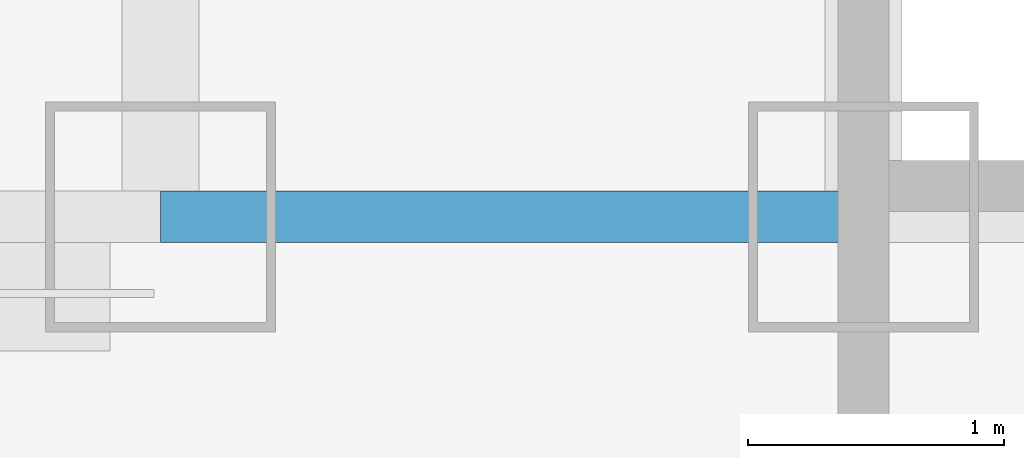
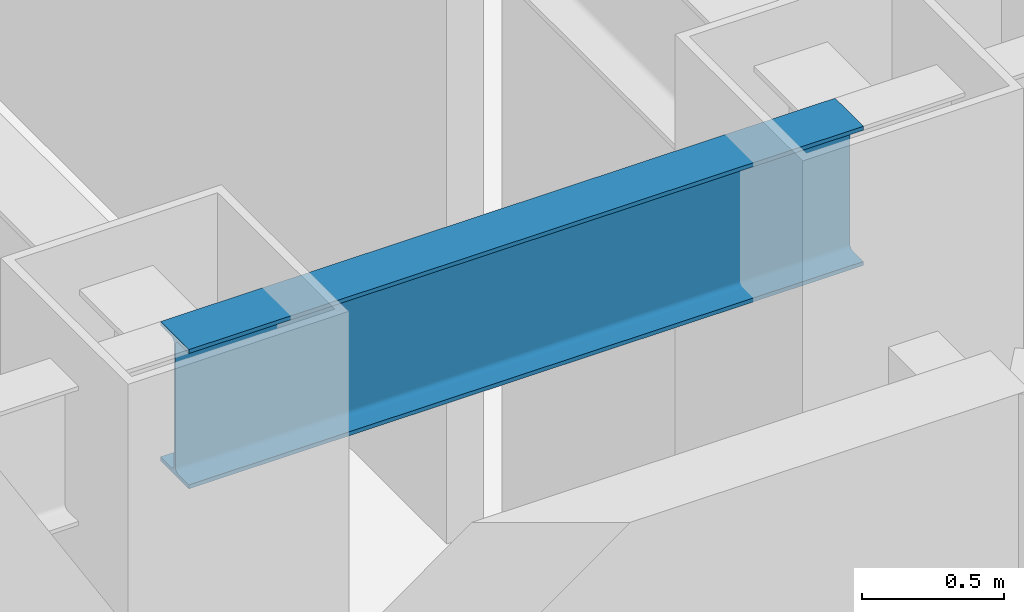
# One storey, part 3 of 31: 1 beam.
"""IFC4 building model written with IfcOpenShell, lengths in metres."""

import ifcopenshell
import ifcopenshell.guid

model = None  # the IFC model being written
_history = None  # IfcOwnerHistory: only IFC2X3 demands one
_inside = {}  # id of a spatial element -> (the spatial element, [elements in it])
_under = {}  # id of a project, library or spatial element -> (it, [spatial elements below it])
_declared = {}  # id of a project -> (the project, [libraries it declares])
_typed = {}  # id of a type object -> (the type object, [elements of that type])
_made_of = {}  # id of a material, layer set ... -> (it, [elements and type objects made of it])


def new_model(schema):
    """Start an empty IFC model of exactly this schema.

    Asked for "IFC4X3", IfcOpenShell would pick the latest addendum, in which some entities
    have other attributes; the version numbers below select the first issue.
    IFC2X3 requires an IfcOwnerHistory on every rooted entity: one is made here for all.
    """
    global model, _history
    if schema == "IFC4X3":
        model = ifcopenshell.file(schema_version=(4, 3, 0, 0))
    else:
        model = ifcopenshell.file(schema=schema)
    _inside.clear()
    _under.clear()
    _declared.clear()
    _typed.clear()
    _made_of.clear()
    _history = None
    if model.schema == "IFC2X3":
        org = make("IfcOrganization", Name="unknown")
        user = make(
            "IfcPersonAndOrganization",
            ThePerson=make("IfcPerson", FamilyName="unknown"),
            TheOrganization=org,
        )
        app = make(
            "IfcApplication",
            ApplicationDeveloper=org,
            Version="unknown",
            ApplicationFullName="unknown",
            ApplicationIdentifier="unknown",
        )
        _history = make(
            "IfcOwnerHistory",
            OwningUser=user,
            OwningApplication=app,
            ChangeAction="ADDED",
            CreationDate=0,
        )
    return model


def make(cls, **values):
    """One entity of the class cls with the attributes given. An attribute that is None is left unset."""
    return model.create_entity(
        cls, **{name: value for name, value in values.items() if value is not None}
    )


def rooted(cls, **values):
    """An entity with a GlobalId (a new one), such as an element, a storey or a relation."""
    return make(cls, GlobalId=ifcopenshell.guid.new(), OwnerHistory=_history, **values)


def si_unit(unit_type, name, prefix=None):
    """IfcSIUnit, for example si_unit("LENGTHUNIT", "METRE", prefix="MILLI")."""
    return make("IfcSIUnit", UnitType=unit_type, Prefix=prefix, Name=name)


def assignment(units):
    """IfcUnitAssignment: the units of a project."""
    return None if units is None else make("IfcUnitAssignment", Units=units)


def point(xyz):
    """IfcCartesianPoint."""
    return None if xyz is None else make("IfcCartesianPoint", Coordinates=xyz)


def direction(xyz):
    """IfcDirection."""
    return None if xyz is None else make("IfcDirection", DirectionRatios=xyz)


def frame(location, z_axis=None, x_axis=None):
    """IfcAxis2Placement3D, a coordinate frame: its origin and axes. An axis left out is left unset."""
    return make(
        "IfcAxis2Placement3D",
        Location=point(location),
        Axis=direction(z_axis),
        RefDirection=direction(x_axis),
    )


def frame_2d(location, x_axis=None):
    """IfcAxis2Placement2D, a coordinate frame in the plane: its origin and x axis."""
    return make(
        "IfcAxis2Placement2D", Location=point(location), RefDirection=direction(x_axis)
    )


def origin():
    """The frame at (0, 0, 0) with its axes left unset."""
    return frame((0.0, 0.0, 0.0))


def origin_2d():
    """The frame at (0, 0) in the plane with its x axis left unset."""
    return frame_2d((0.0, 0.0))


def place(relative_to, where):
    """IfcLocalPlacement: puts the frame where relative to a parent placement (None: the world)."""
    return make(
        "IfcLocalPlacement", PlacementRelTo=relative_to, RelativePlacement=where
    )


def context(
    kind, dimensions, precision=None, world=None, true_north=None, identifier=None
):
    """IfcGeometricRepresentationContext, for example the 3D "Model" context."""
    return make(
        "IfcGeometricRepresentationContext",
        ContextIdentifier=identifier,
        ContextType=kind,
        CoordinateSpaceDimension=dimensions,
        Precision=precision,
        WorldCoordinateSystem=world,
        TrueNorth=true_north,
    )


def subcontext(parent, identifier, kind, view, scale=None):
    """IfcGeometricRepresentationSubContext, for example "Body" below "Model"."""
    return make(
        "IfcGeometricRepresentationSubContext",
        ContextIdentifier=identifier,
        ContextType=kind,
        ParentContext=parent,
        TargetScale=scale,
        TargetView=view,
    )


def project(units=None, contexts=None):
    """IfcProject with its units and contexts."""
    return rooted(
        "IfcProject",
        Name="project",
        RepresentationContexts=contexts,
        UnitsInContext=assignment(units),
    )


def spatial(cls, under=None, at=None, **own):
    """A site, building, storey or space (cls), placed at a placement, below another one or the project."""
    s = rooted(cls, ObjectPlacement=at, **own)
    if under is not None:
        _under.setdefault(under.id(), (under, []))[1].append(s)
    return s


def profile(cls, at=None, kind="AREA", **sizes):
    """A parametric profile (cls). Its sizes go by their IFC names, for example OverallWidth=200.0."""
    return make(cls, ProfileType=kind, Position=at, **sizes)


def i_section(**sizes):
    """IfcIShapeProfileDef."""
    return profile("IfcIShapeProfileDef", **sizes)


def extrude(swept, where, along, depth):
    """IfcExtrudedAreaSolid: the profile swept, set in the frame where, extruded along a direction by depth."""
    return make(
        "IfcExtrudedAreaSolid",
        SweptArea=swept,
        Position=where,
        ExtrudedDirection=direction(along),
        Depth=depth,
    )


def shape(context_of_items, identifier, shape_type, items):
    """IfcShapeRepresentation: the items that make up one representation, for example the "Body"."""
    return make(
        "IfcShapeRepresentation",
        ContextOfItems=context_of_items,
        RepresentationIdentifier=identifier,
        RepresentationType=shape_type,
        Items=items,
    )


def material(Name=None, Category=None):
    """IfcMaterial."""
    return make("IfcMaterial", Name=Name, Category=Category)


def material_profile(
    of_material, cross_section, Name=None, Category=None, Priority=None
):
    """IfcMaterialProfile: a cross section and its material."""
    return make(
        "IfcMaterialProfile",
        Name=Name,
        Material=of_material,
        Profile=cross_section,
        Priority=Priority,
        Category=Category,
    )


def profile_set(profiles, Name=None, composite=None):
    """IfcMaterialProfileSet."""
    return make(
        "IfcMaterialProfileSet",
        Name=Name,
        MaterialProfiles=profiles,
        CompositeProfile=composite,
    )


def made_of(thing, what):
    """Note that an element or type object is made of a material, layer set ...; save() writes the relation."""
    if what is not None:
        _made_of.setdefault(what.id(), (what, []))[1].append(thing)
    return thing


def type_object(cls, material=None, **own):
    """A type object (cls), such as IfcWallType, which elements share."""
    return made_of(rooted(cls, **own), material)


def element(
    cls,
    number,
    at=None,
    inside=None,
    cuts=None,
    type_object=None,
    material=None,
    context=None,
    identifier="Body",
    shape_type=None,
    held_by="IfcProductDefinitionShape",
    body=None,
    shapes=None,
    **own,
):
    """One element of the class cls, such as IfcWall. Its Tag is "e" and its number.

    at: its placement. inside: the storey or other place that contains it. cuts: it is an
    opening in that element (IfcRelVoidsElement). A single representation is given by context,
    identifier, shape_type and body (its items); several are given by shapes. held_by: the class
    of the entity that holds the representations. save() writes the other relations.
    """
    e = rooted(cls, Tag="e%d" % number, ObjectPlacement=at, **own)
    if body is not None:
        shapes = [shape(context, identifier, shape_type, body)]
    if shapes is not None:
        e.Representation = make(held_by, Representations=shapes)
    if inside is not None:
        _inside.setdefault(inside.id(), (inside, []))[1].append(e)
    if cuts is not None:
        rooted(
            "IfcRelVoidsElement", RelatingBuildingElement=cuts, RelatedOpeningElement=e
        )
    if type_object is not None:
        _typed.setdefault(type_object.id(), (type_object, []))[1].append(e)
    return made_of(e, material)


def aggregate(whole, parts):
    """IfcRelAggregates: a whole, such as a stair, and the parts it consists of."""
    return rooted("IfcRelAggregates", RelatingObject=whole, RelatedObjects=parts)


def save(model, path):
    """Write the relations noted so far, then the file.

    IfcRelAggregates (storeys below a building ...), IfcRelContainedInSpatialStructure (elements
    in a storey), IfcRelDefinesByType, IfcRelAssociatesMaterial and IfcRelDeclares: one each for
    every whole, place, type object, material and project.
    """
    for whole, parts in _under.values():
        aggregate(whole, parts)
    for where, things in _inside.values():
        rooted(
            "IfcRelContainedInSpatialStructure",
            RelatedElements=things,
            RelatingStructure=where,
        )
    for kind, things in _typed.values():
        rooted("IfcRelDefinesByType", RelatedObjects=things, RelatingType=kind)
    for what, things in _made_of.values():
        rooted("IfcRelAssociatesMaterial", RelatedObjects=things, RelatingMaterial=what)
    for by, libraries in _declared.values():
        rooted("IfcRelDeclares", RelatingContext=by, RelatedDefinitions=libraries)
    model.write(path)


model = new_model("IFC4")

# Units and contexts
model_context = context("Model", 3, precision=1e-05, world=origin(), true_north=direction((0.0, 1.0)))
body_context = subcontext(model_context, "Body", "Model", "MODEL_VIEW")
ifc_project = project(units=[si_unit("LENGTHUNIT", "METRE"), si_unit("AREAUNIT", "SQUARE_METRE"), si_unit("VOLUMEUNIT", "CUBIC_METRE"), si_unit("PLANEANGLEUNIT", "RADIAN"), si_unit("MASSUNIT", "GRAM", prefix="KILO")], contexts=[model_context])

# Site, building, storey
site_placement = place(None, origin())
site = spatial("IfcSite", under=ifc_project, at=site_placement, CompositionType="ELEMENT")
building_placement = place(site_placement, origin())
building = spatial("IfcBuilding", under=site, at=building_placement, Name="Hatsunagi Terrace Concourse", CompositionType="ELEMENT")
storey_placement = place(building_placement, frame((0.0, 0.0, 77.949951171875)))
storey = spatial("IfcBuildingStorey", under=building, at=storey_placement, Name="L20", CompositionType="ELEMENT", Elevation=77.949951171875)

# Beam
ifc_material = material(Name="Steel SN490B", Category="steel")
ifc_material_profile = material_profile(ifc_material, i_section(OverallWidth=0.199951171875, OverallDepth=0.60009765625, WebThickness=0.010986328125, FlangeThickness=0.01708984375, FilletRadius=0.01806640625, at=origin_2d()), Name="H-600x200x11x17")
ifc_profile_set = profile_set([ifc_material_profile], Name="Steel SN490B")
beam_type = type_object("IfcBeamType", Name="PerimeterSpandrel_H_600x200", PredefinedType="SPANDREL", material=ifc_profile_set)
beam_placement = place(storey_placement, frame((22.800048828125, 25.199951171875, 2.830078125), z_axis=(1.0, 0.0, 0.0), x_axis=(0.0, 1.0, 0.0)))
element("IfcBeam", 1, at=beam_placement, inside=storey, type_object=beam_type, Name="Beam SP-01 BM-L20-WS-22", PredefinedType="SPANDREL", context=body_context, shape_type="SweptSolid", body=[
    extrude(i_section(OverallWidth=0.199951171875, OverallDepth=0.60009765625, WebThickness=0.010986328125, FlangeThickness=0.01708984375, FilletRadius=0.01806640625, at=origin_2d()), origin(), (0.0, 0.0, 1.0), 2.75),
])

save(model, "model.ifc")
